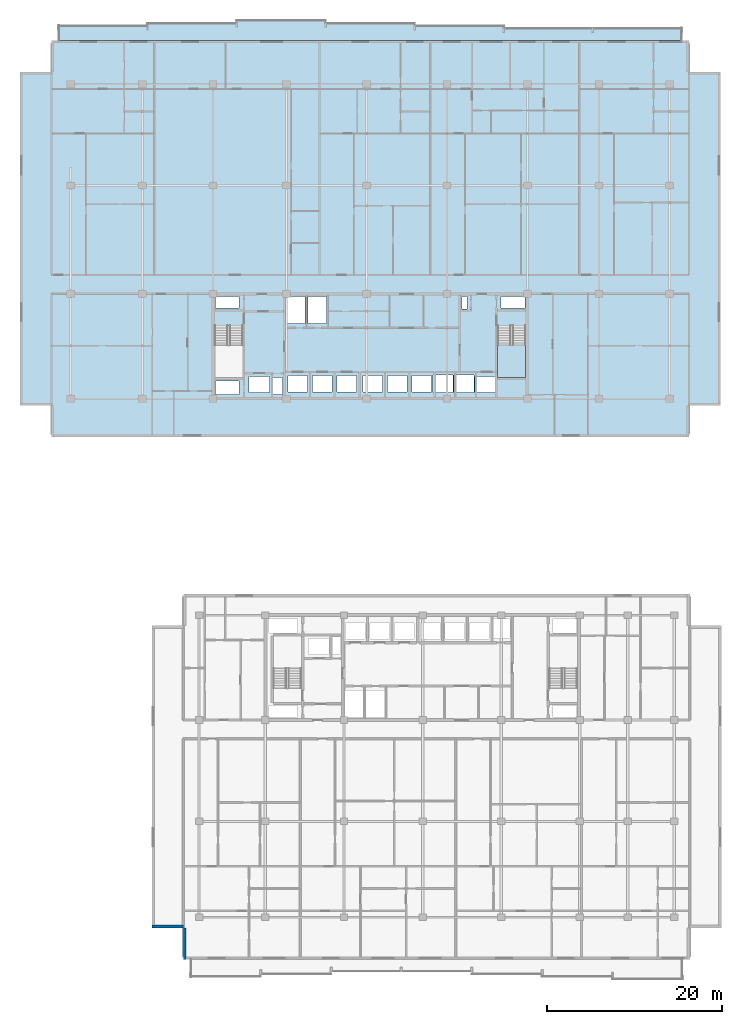
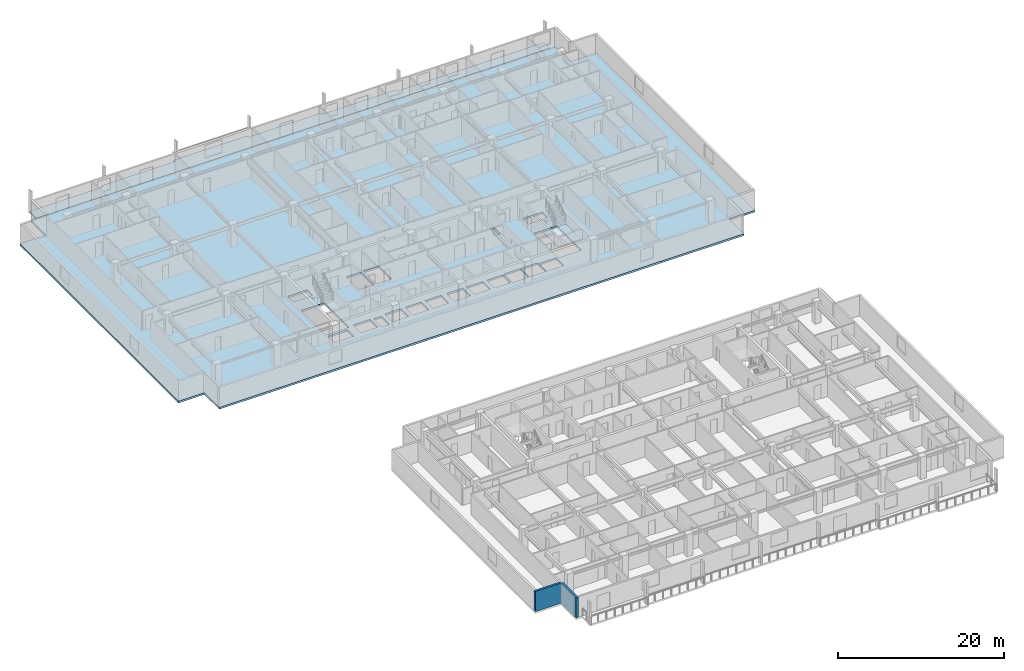
# One storey, part 3 of 22: 3 slabs, 2 walls, 1 element without a shape of its own.
"""IFC4 building model written with IfcOpenShell, lengths in metres."""

from ifc_helpers import new_model, si_unit, direction, frame, frame_2d, origin, place, context, subcontext, project, spatial, polyline, rectangle, outline, extrude, material, layer, layer_set, type_object, element, aggregate, save


model = new_model("IFC4")

# Units and contexts
model_context = context("Model", 3, precision=1e-05, world=origin(), true_north=direction((0.0, 1.0)))
body_context = subcontext(model_context, "Body", "Model", "MODEL_VIEW")
ifc_project = project(units=[si_unit("LENGTHUNIT", "METRE"), si_unit("AREAUNIT", "SQUARE_METRE"), si_unit("VOLUMEUNIT", "CUBIC_METRE"), si_unit("PLANEANGLEUNIT", "RADIAN"), si_unit("MASSUNIT", "GRAM", prefix="KILO")], contexts=[model_context])

# Site, building, storey
site_placement = place(None, origin())
site = spatial("IfcSite", under=ifc_project, at=site_placement, CompositionType="ELEMENT")
building_placement = place(site_placement, origin())
building = spatial("IfcBuilding", under=site, at=building_placement, Name="Korimba Cascade Residences", CompositionType="ELEMENT")
storey_placement = place(building_placement, frame((0.0, 0.0, 84.050048828125)))
storey = spatial("IfcBuildingStorey", under=building, at=storey_placement, Name="L23", CompositionType="ELEMENT", Elevation=84.050048828125)

# Stair, slab
ifc_material_1 = material(Name="Concrete C50/60", Category="concrete")
stair_type = type_object("IfcStairType", Name="STR-W2-18R-1806", PredefinedType="HALF_TURN_STAIR", material=ifc_material_1)
stair_placement = place(storey_placement, origin())
stair = element("IfcStair", 1, at=stair_placement, inside=storey, type_object=stair_type, Name="L23 Tower 1 East Fire Stair ST-W2", PredefinedType="HALF_TURN_STAIR")
ifc_layer_1 = layer(ifc_material_1, 0.199951171875)
ifc_layer_set_1 = layer_set([ifc_layer_1], Name="Concrete C50/60")
slab_type_1 = type_object("IfcSlabType", Name="SLB-LND-220", PredefinedType="LANDING", material=ifc_layer_set_1)
slab_1_placement = place(storey_placement, frame((0.0, 0.0, 1.425048828125)))
slab_1 = element("IfcSlab", 2, at=slab_1_placement, type_object=slab_type_1, Name="ST-W2 landing 1", PredefinedType="LANDING", context=body_context, shape_type="SweptSolid", body=[
    extrude(outline(polyline([(108.659912109375, 61.31005859375), (108.659912109375, 57.60009765625), (111.89990234375, 57.60009765625), (111.89990234375, 61.31005859375), (108.659912109375, 61.31005859375)])), origin(), (0.0, 0.0, 1.0), 0.199951171875),
])
aggregate(stair, [slab_1])

# Slabs
ifc_material_2 = material(Name="Precast concrete C40/50", Category="concrete")
ifc_layer_2 = layer(ifc_material_2, 0.239990234375)
ifc_layer_set_2 = layer_set([ifc_layer_2], Name="Precast concrete C40/50")
slab_type_2 = type_object("IfcSlabType", Name="SLB-LOG-240", PredefinedType="FLOOR", material=ifc_layer_set_2)
slab_2_placement = place(storey_placement, frame((0.0, 0.0, -0.239990234375)))
element("IfcSlab", 3, at=slab_2_placement, inside=storey, type_object=slab_type_2, Name="L23 Tower 1 North Loggia Slab", PredefinedType="FLOOR", context=body_context, shape_type="SweptSolid", body=[
    extrude(outline(polyline([(58.39990234375, 96.199951171875), (129.800048828125, 96.199951171875), (129.800048828125, 97.64990234375), (109.39990234375, 97.64990234375), (109.39990234375, 97.949951171875), (99.199951171875, 97.949951171875), (99.199951171875, 98.25), (89.0, 98.25), (89.0, 98.550048828125), (78.800048828125, 98.550048828125), (78.800048828125, 98.25), (68.60009765625, 98.25), (68.60009765625, 97.949951171875), (58.39990234375, 97.949951171875), (58.39990234375, 96.199951171875)])), origin(), (0.0, 0.0, 1.0), 0.239990234375),
])
ifc_layer_3 = layer(ifc_material_1, 0.280029296875)
ifc_layer_set_3 = layer_set([ifc_layer_3], Name="Concrete C50/60")
slab_type_3 = type_object("IfcSlabType", Name="SLB-TYP-280", PredefinedType="FLOOR", material=ifc_layer_set_3)
slab_3_placement = place(storey_placement, frame((0.0, 0.0, -0.280029296875)))
element("IfcSlab", 4, at=slab_3_placement, inside=storey, type_object=slab_type_3, Name="L23 Tower 1 Floor Slab", PredefinedType="FLOOR", context=body_context, shape_type="SweptSolid", body=[
    extrude(outline(polyline([(57.60009765625, 50.800048828125), (130.60009765625, 50.800048828125), (130.60009765625, 54.39990234375), (134.199951171875, 54.39990234375), (134.199951171875, 92.60009765625), (130.60009765625, 92.60009765625), (130.60009765625, 96.199951171875), (57.60009765625, 96.199951171875), (57.60009765625, 92.60009765625), (54.0, 92.60009765625), (54.0, 54.39990234375), (57.60009765625, 54.39990234375), (57.60009765625, 50.800048828125)]), holes=[polyline([(76.300048828125, 63.514892578125), (76.300048828125, 57.60009765625), (79.5400390625, 57.60009765625), (79.5400390625, 63.514892578125), (76.300048828125, 63.514892578125)]), polyline([(108.659912109375, 63.514892578125), (108.659912109375, 57.60009765625), (111.89990234375, 57.60009765625), (111.89990234375, 63.514892578125), (108.659912109375, 63.514892578125)]), polyline([(80.22998046875, 55.8798828125), (82.570068359375, 55.8798828125), (82.570068359375, 57.719970703125), (80.22998046875, 57.719970703125), (80.22998046875, 55.8798828125)]), polyline([(106.080078125, 55.8798828125), (108.419921875, 55.8798828125), (108.419921875, 57.719970703125), (106.080078125, 57.719970703125), (106.080078125, 55.8798828125)]), polyline([(84.679931640625, 55.97998046875), (86.919921875, 55.97998046875), (86.919921875, 57.820068359375), (84.679931640625, 57.820068359375), (84.679931640625, 55.97998046875)]), polyline([(87.47998046875, 55.97998046875), (89.719970703125, 55.97998046875), (89.719970703125, 57.820068359375), (87.47998046875, 57.820068359375), (87.47998046875, 55.97998046875)]), polyline([(90.280029296875, 55.97998046875), (92.52001953125, 55.97998046875), (92.52001953125, 57.820068359375), (90.280029296875, 57.820068359375), (90.280029296875, 55.97998046875)]), polyline([(93.280029296875, 55.97998046875), (95.52001953125, 55.97998046875), (95.52001953125, 57.820068359375), (93.280029296875, 57.820068359375), (93.280029296875, 55.97998046875)]), polyline([(96.080078125, 55.97998046875), (98.320068359375, 55.97998046875), (98.320068359375, 57.820068359375), (96.080078125, 57.820068359375), (96.080078125, 55.97998046875)]), polyline([(98.8798828125, 55.97998046875), (101.1201171875, 55.97998046875), (101.1201171875, 57.820068359375), (98.8798828125, 57.820068359375), (98.8798828125, 55.97998046875)]), polyline([(101.304931640625, 55.8798828125), (103.594970703125, 55.8798828125), (103.594970703125, 57.919921875), (101.304931640625, 57.919921875), (101.304931640625, 55.8798828125)]), polyline([(103.705078125, 55.8798828125), (105.9951171875, 55.8798828125), (105.9951171875, 57.919921875), (103.705078125, 57.919921875), (103.705078125, 55.8798828125)]), polyline([(82.97998046875, 55.679931640625), (84.080078125, 55.679931640625), (84.080078125, 57.6201171875), (82.97998046875, 57.6201171875), (82.97998046875, 55.679931640625)]), polyline([(76.39990234375, 65.56005859375), (79.10009765625, 65.56005859375), (79.10009765625, 66.8798828125), (76.39990234375, 66.8798828125), (76.39990234375, 65.56005859375)]), polyline([(76.39990234375, 55.679931640625), (79.10009765625, 55.679931640625), (79.10009765625, 57.239990234375), (76.39990234375, 57.239990234375), (76.39990234375, 55.679931640625)]), polyline([(84.530029296875, 63.820068359375), (86.6201171875, 63.820068359375), (86.6201171875, 66.8798828125), (84.530029296875, 66.8798828125), (84.530029296875, 63.820068359375)]), polyline([(86.97998046875, 63.820068359375), (89.070068359375, 63.820068359375), (89.070068359375, 66.8798828125), (86.97998046875, 66.8798828125), (86.97998046875, 63.820068359375)]), polyline([(104.6201171875, 65.4599609375), (105.179931640625, 65.4599609375), (105.179931640625, 66.8798828125), (104.6201171875, 66.8798828125), (104.6201171875, 65.4599609375)]), polyline([(109.080078125, 65.56005859375), (111.800048828125, 65.56005859375), (111.800048828125, 66.8798828125), (109.080078125, 66.8798828125), (109.080078125, 65.56005859375)])]), origin(), (0.0, 0.0, 1.0), 0.280029296875),
])

# Walls
ifc_layer_4 = layer(ifc_material_2, 0.300048828125)
ifc_layer_set_4 = layer_set([ifc_layer_4], Name="Precast concrete C40/50")
wall_type = type_object("IfcWallType", Name="EW-STONE-300", PredefinedType="STANDARD", material=ifc_layer_set_4)
wall_1_placement = place(storey_placement, frame((69.10009765625, -5.25, 0.0), z_axis=(0.0, 0.0, 1.0), x_axis=(1.0, 0.0, 0.0)))
element("IfcWall", 5, at=wall_1_placement, inside=storey, type_object=wall_type, Name="L23 T2 Perimeter Stone Wall E10", PredefinedType="STANDARD", context=body_context, shape_type="SweptSolid", body=[
    extrude(rectangle(XDim=3.599853515625, YDim=0.300048828125, at=frame_2d((1.7998046875, 0.0))), origin(), (0.0, 0.0, 1.0), 2.969970703125),
])
wall_2_placement = place(storey_placement, frame((72.85009765625, -5.39990234375, 0.0), z_axis=(0.0, 0.0, 1.0), x_axis=(0.0, -1.0, 0.0)))
element("IfcWall", 6, at=wall_2_placement, inside=storey, type_object=wall_type, Name="L23 T2 Perimeter Stone Wall E11", PredefinedType="STANDARD", context=body_context, shape_type="SweptSolid", body=[
    extrude(rectangle(XDim=3.60009765625, YDim=0.300048828125, at=frame_2d((1.800048828125, 0.0))), origin(), (0.0, 0.0, 1.0), 2.969970703125),
])

save(model, "model.ifc")
